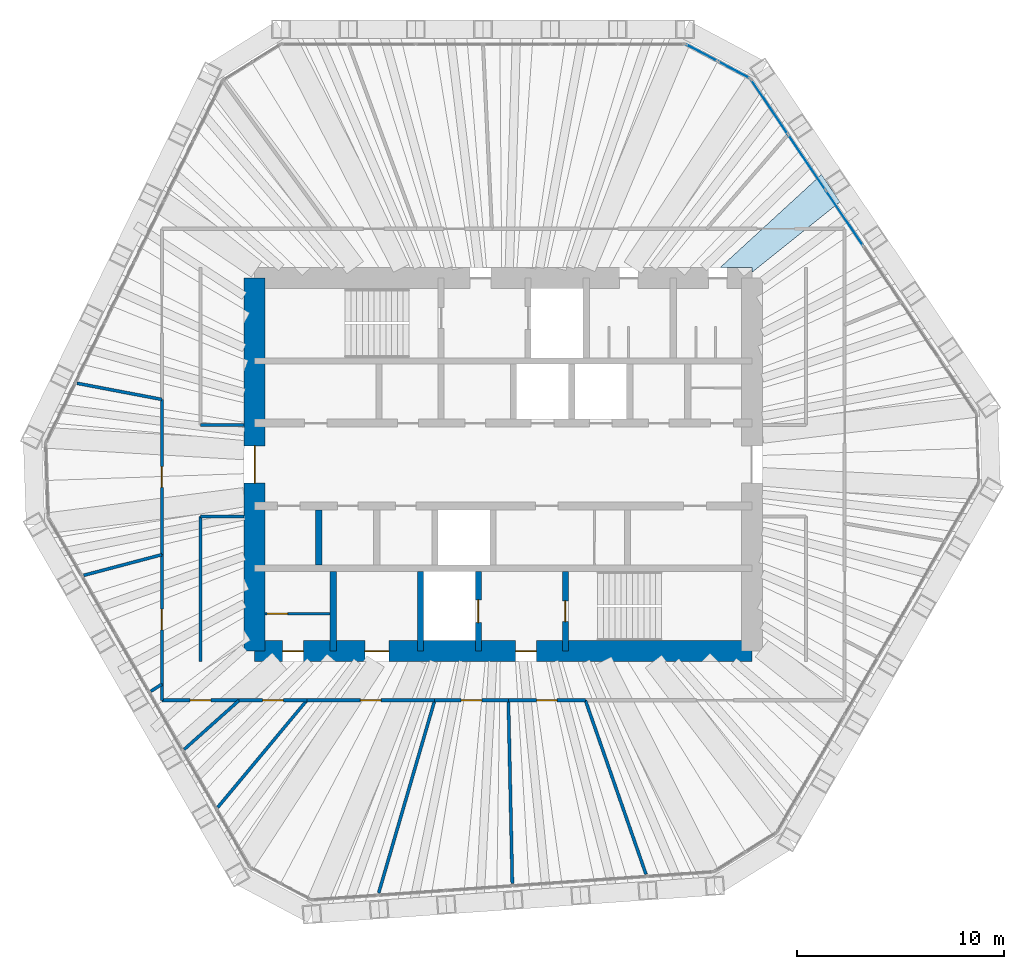
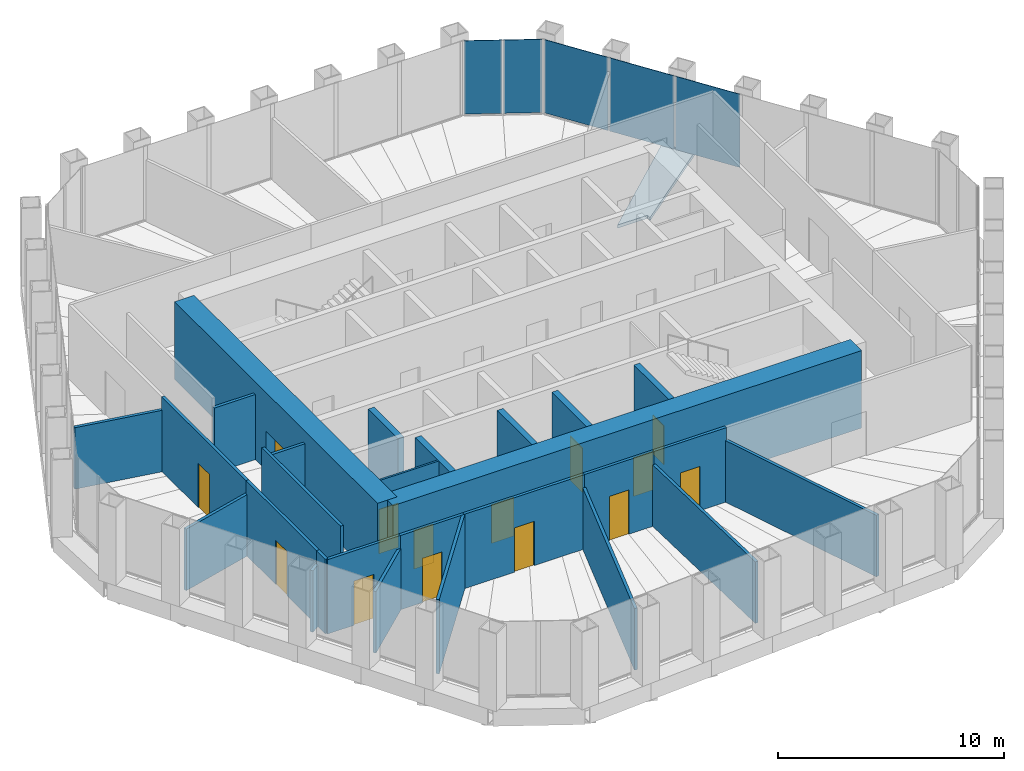
# One storey, part 11 of 14: 27 walls, 14 doors, 5 plates, 1 slab, 14 openings, 2 elements without a shape of their own.
"""IFC4 building model written with IfcOpenShell, lengths in metres."""

from ifc_helpers import new_model, si_unit, direction, frame, frame_2d, origin, origin_2d, place, context, subcontext, project, spatial, polyline, rectangle, outline, extrude, material, layer, layer_set, type_object, element, fill, aggregate, save


model = new_model("IFC4")

# Units and contexts
model_context = context("Model", 3, precision=1e-05, world=origin(), true_north=direction((0.0, 1.0)))
body_context = subcontext(model_context, "Body", "Model", "MODEL_VIEW")
ifc_project = project(units=[si_unit("LENGTHUNIT", "METRE"), si_unit("AREAUNIT", "SQUARE_METRE"), si_unit("VOLUMEUNIT", "CUBIC_METRE"), si_unit("PLANEANGLEUNIT", "RADIAN"), si_unit("MASSUNIT", "GRAM", prefix="KILO")], contexts=[model_context])

# Site, building, storey
site_placement = place(None, origin())
site = spatial("IfcSite", under=ifc_project, at=site_placement, CompositionType="ELEMENT")
building_placement = place(site_placement, origin())
building = spatial("IfcBuilding", under=site, at=building_placement, Name="Qingtian Harvest Tower", CompositionType="ELEMENT")
storey_placement = place(building_placement, frame((0.0, 0.0, 266.199951171875)))
storey = spatial("IfcBuildingStorey", under=building, at=storey_placement, Name="L58", CompositionType="ELEMENT", Elevation=266.199951171875)

# Slab
ifc_material_1 = material(Name="Concrete fc' 35 MPa", Category="concrete")
ifc_layer_1 = layer(ifc_material_1, 0.169921875)
ifc_layer_set_1 = layer_set([ifc_layer_1], Name="Composite floor slab FS17 170")
slab_type = type_object("IfcSlabType", Name="Composite floor slab FS17 170", PredefinedType="FLOOR", material=ifc_layer_set_1)
slab_placement = place(storey_placement, frame((0.0, 0.0, -0.169921875)))
element("IfcSlab", 1, at=slab_placement, inside=storey, type_object=slab_type, Name="Floor slab L58 panel D48", PredefinedType="FLOOR", context=body_context, shape_type="SweptSolid", body=[
    extrude(outline(polyline([(12.0, 9.5), (10.4599609375, 9.5), (15.35498046875, 13.99365234375), (16.24609375, 12.672607421875), (12.0, 9.2734375), (12.0, 9.5)])), origin(), (0.0, 0.0, 1.0), 0.169921875),
])

# Curtain wall, plates
ifc_material_2 = material(Name="Bronze-anodised aluminium curtain wall", Category="aluminium")
curtain_wall_type = type_object("IfcCurtainWallType", Name="Curtain wall CW5 upper office", PredefinedType="USERDEFINED", material=ifc_material_2)
curtain_wall_1_placement = place(storey_placement, origin())
curtain_wall_1 = element("IfcCurtainWall", 2, at=curtain_wall_1_placement, inside=storey, type_object=curtain_wall_type, Name="Curtain wall CW5 L58 NC", ObjectType="RECESSED CURTAIN WALL", PredefinedType="USERDEFINED")
ifc_material_3 = material(Name="Bronze-tinted laminated insulating glass", Category="glass")
ifc_layer_2 = layer(ifc_material_3, 0.030029296875)
ifc_layer_set_2 = layer_set([ifc_layer_2], Name="Glazed panel CWP tinted IGU")
plate_type = type_object("IfcPlateType", Name="Glazed panel CWP tinted IGU", PredefinedType="CURTAIN_PANEL", material=ifc_layer_set_2)
plate_1_placement = place(storey_placement, frame((9.57080078125, 19.8720703125, 0.06494140625), z_axis=(0.0, 0.0, 1.0), x_axis=(0.882947592859, -0.469471562786, 0.0)))
plate_1 = element("IfcPlate", 3, at=plate_1_placement, type_object=plate_type, Name="CW5 panel 1.1", PredefinedType="CURTAIN_PANEL", context=body_context, shape_type="SweptSolid", body=[
    extrude(rectangle(XDim=1.69287109375, YDim=0.030029296875, at=origin_2d()), origin(), (0.0, 0.0, 1.0), 3.965087890625),
])
plate_2_placement = place(storey_placement, frame((11.122802734375, 19.046875, 0.06494140625), z_axis=(0.0, 0.0, 1.0), x_axis=(0.882947592859, -0.469471562786, 0.0)))
plate_2 = element("IfcPlate", 4, at=plate_2_placement, type_object=plate_type, Name="CW5 panel 2.1", PredefinedType="CURTAIN_PANEL", context=body_context, shape_type="SweptSolid", body=[
    extrude(rectangle(XDim=1.69287109375, YDim=0.030029296875, at=origin_2d()), origin(), (0.0, 0.0, 1.0), 3.965087890625),
])
aggregate(curtain_wall_1, [plate_1, plate_2])

curtain_wall_2_placement = place(storey_placement, origin())
curtain_wall_2 = element("IfcCurtainWall", 5, at=curtain_wall_2_placement, inside=storey, type_object=curtain_wall_type, Name="Curtain wall CW5 L58 NE0-5", ObjectType="RECESSED CURTAIN WALL", PredefinedType="USERDEFINED")
plate_3_placement = place(storey_placement, frame((12.844970703125, 17.259033203125, 0.06494140625), z_axis=(0.0, 0.0, 1.0), x_axis=(0.559192903471, -0.829037572555, 0.0)))
plate_3 = element("IfcPlate", 6, at=plate_3_placement, type_object=plate_type, Name="CW5 panel 1.1", PredefinedType="CURTAIN_PANEL", context=body_context, shape_type="SweptSolid", body=[
    extrude(rectangle(XDim=3.150634765625, YDim=0.030029296875, at=origin_2d()), origin(), (0.0, 0.0, 1.0), 3.965087890625),
])
plate_4_placement = place(storey_placement, frame((14.652099609375, 14.579833984375, 0.06494140625), z_axis=(0.0, 0.0, 1.0), x_axis=(0.559192903471, -0.829037572555, 0.0)))
plate_4 = element("IfcPlate", 7, at=plate_4_placement, type_object=plate_type, Name="CW5 panel 2.1", PredefinedType="CURTAIN_PANEL", context=body_context, shape_type="SweptSolid", body=[
    extrude(rectangle(XDim=3.18310546875, YDim=0.030029296875, at=origin_2d()), origin(), (0.0, 0.0, 1.0), 3.965087890625),
])
plate_5_placement = place(storey_placement, frame((16.46826171875, 11.886962890625, 0.06494140625), z_axis=(0.0, 0.0, 1.0), x_axis=(0.559192903471, -0.829037572555, 0.0)))
plate_5 = element("IfcPlate", 8, at=plate_5_placement, type_object=plate_type, Name="CW5 panel 3.1", PredefinedType="CURTAIN_PANEL", context=body_context, shape_type="SweptSolid", body=[
    extrude(rectangle(XDim=3.18310546875, YDim=0.030029296875, at=origin_2d()), origin(), (0.0, 0.0, 1.0), 3.965087890625),
])
aggregate(curtain_wall_2, [plate_3, plate_4, plate_5])

# Walls
ifc_material_4 = material(Name="Precast concrete shaft panel", Category="concrete")
ifc_layer_3 = layer(ifc_material_4, 0.300048828125)
ifc_layer_set_3 = layer_set([ifc_layer_3], Name="Core shaft partition SW1 300")
wall_type_1 = type_object("IfcWallType", Name="Core shaft partition SW1 300", PredefinedType="PARTITIONING", material=ifc_layer_set_3)
wall_1_placement = place(storey_placement, frame((-8.89990234375, -4.85009765625, 0.0), z_axis=(0.0, 0.0, 1.0), x_axis=(0.0, 1.0, 0.0)))
element("IfcWall", 9, at=wall_1_placement, inside=storey, type_object=wall_type_1, Name="Core shaft partition XB1 L58", PredefinedType="PARTITIONING", context=body_context, shape_type="SweptSolid", body=[
    extrude(rectangle(XDim=2.650146484375, YDim=0.300048828125, at=frame_2d((1.3251953125, 0.0))), origin(), (0.0, 0.0, 1.0), 3.97998046875),
])
for number, where, z_axis, x_axis, name in (
    (10, (-8.199951171875, -9.0, 0.0), (0.0, 0.0, 1.0), (0.0, 1.0, 0.0), "Core shaft partition XS1 L58"),
    (11, (-4.0, -9.0, 0.0), (0.0, 0.0, 1.0), (0.0, 1.0, 0.0), "Core shaft partition XS2 L58"),
):
    element("IfcWall", number, at=place(storey_placement, frame(where, z_axis=z_axis, x_axis=x_axis)), inside=storey, type_object=wall_type_1, Name=name, PredefinedType="PARTITIONING", context=body_context, shape_type="SweptSolid", body=[
        extrude(rectangle(XDim=3.85009765625, YDim=0.300048828125, at=frame_2d((1.925048828125, 0.0))), origin(), (0.0, 0.0, 1.0), 3.97998046875),
    ])

# Wall, opening, door
wall_2_placement = place(storey_placement, frame((-1.199951171875, -9.0, 0.0), z_axis=(0.0, 0.0, 1.0), x_axis=(0.0, 1.0, 0.0)))
wall_2 = element("IfcWall", 12, at=wall_2_placement, inside=storey, type_object=wall_type_1, Name="Core shaft partition XS3 L58", PredefinedType="PARTITIONING", context=body_context, shape_type="SweptSolid", body=[
    extrude(rectangle(XDim=3.85009765625, YDim=0.300048828125, at=frame_2d((1.925048828125, 0.0))), origin(), (0.0, 0.0, 1.0), 3.97998046875),
])
opening_1_placement = place(wall_2_placement, frame((1.375, 0.0, 0.0)))
opening_1 = element("IfcOpeningElement", 13, at=opening_1_placement, cuts=wall_2, Name="Opening LD1", PredefinedType="OPENING", context=body_context, shape_type="SweptSolid", body=[
    extrude(rectangle(XDim=1.10009765625, YDim=2.39990234375, at=frame_2d((0.550048828125, 1.199951171875))), frame((0.0, 0.159912109375, 0.0), z_axis=(0.0, -1.0, 0.0), x_axis=(1.0, 0.0, 0.0)), (0.0, 0.0, 1.0), 0.320068359375),
])
ifc_material_5 = material(Name="Stainless steel lift landing door", Category="steel")
door_type_1 = type_object("IfcDoorType", Name="Lift landing door LD1 1 HR", OperationType="DOUBLE_DOOR_SLIDING", PredefinedType="DOOR", material=ifc_material_5)
door_1_placement = place(opening_1_placement, origin())
door_1 = element("IfcDoor", 14, at=door_1_placement, inside=storey, type_object=door_type_1, Name="FL2 landing door L58", OperationType="DOUBLE_DOOR_SLIDING", OverallHeight=2.39990234375, OverallWidth=1.10009765625, PredefinedType="DOOR", context=body_context, shape_type="SweptSolid", body=[
    extrude(rectangle(XDim=1.10009765625, YDim=2.39990234375, at=frame_2d((0.550048828125, 1.199951171875))), frame((0.0, 0.02490234375, 0.0), z_axis=(0.0, -1.0, 0.0), x_axis=(1.0, 0.0, 0.0)), (0.0, 0.0, 1.0), 0.050048828125),
])
fill(opening_1, door_1)

wall_3_placement = place(storey_placement, frame((3.0, -9.0, 0.0), z_axis=(0.0, 0.0, 1.0), x_axis=(0.0, 1.0, 0.0)))
wall_3 = element("IfcWall", 15, at=wall_3_placement, inside=storey, type_object=wall_type_1, Name="Core shaft partition XS4 L58", PredefinedType="PARTITIONING", context=body_context, shape_type="SweptSolid", body=[
    extrude(rectangle(XDim=3.85009765625, YDim=0.300048828125, at=frame_2d((1.925048828125, 0.0))), origin(), (0.0, 0.0, 1.0), 3.97998046875),
])
opening_2_placement = place(wall_3_placement, frame((1.425048828125, 0.0, 0.0)))
opening_2 = element("IfcOpeningElement", 16, at=opening_2_placement, cuts=wall_3, Name="Opening FD1", PredefinedType="OPENING", context=body_context, shape_type="SweptSolid", body=[
    extrude(rectangle(XDim=1.0, YDim=2.10009765625, at=frame_2d((0.5, 1.050048828125))), frame((0.0, 0.159912109375, 0.0), z_axis=(0.0, -1.0, 0.0), x_axis=(1.0, 0.0, 0.0)), (0.0, 0.0, 1.0), 0.320068359375),
])
ifc_material_6 = material(Name="Steel-faced door leaf", Category="steel")
door_type_2 = type_object("IfcDoorType", Name="Fire door FD1 single 1 HR", OperationType="SINGLE_SWING_LEFT", PredefinedType="DOOR", material=ifc_material_6)
door_2_placement = place(opening_2_placement, origin())
door_2 = element("IfcDoor", 17, at=door_2_placement, inside=storey, type_object=door_type_2, Name="S2 door L58", OperationType="SINGLE_SWING_RIGHT", OverallHeight=2.10009765625, OverallWidth=1.0, PredefinedType="DOOR", context=body_context, shape_type="SweptSolid", body=[
    extrude(rectangle(XDim=1.0, YDim=2.10009765625, at=frame_2d((0.5, 1.050048828125))), frame((0.0, 0.02490234375, 0.0), z_axis=(0.0, -1.0, 0.0), x_axis=(1.0, 0.0, 0.0)), (0.0, 0.0, 1.0), 0.050048828125),
])
fill(opening_2, door_2)

# Wall, openings, doors
ifc_material_7 = material(Name="Concrete fc' 70 MPa", Category="concrete")
ifc_layer_4 = layer(ifc_material_7, 1.0)
ifc_layer_set_4 = layer_set([ifc_layer_4], Name="Core wall RC3 1000")
wall_type_2 = type_object("IfcWallType", Name="Core wall RC3 1000", PredefinedType="SHEAR", material=ifc_layer_set_4)
wall_4_placement = place(storey_placement, frame((-12.0, -9.0, 0.0), z_axis=(0.0, 0.0, 1.0), x_axis=(1.0, 0.0, 0.0)))
wall_4 = element("IfcWall", 18, at=wall_4_placement, inside=storey, type_object=wall_type_2, Name="Core wall CS L58", PredefinedType="SHEAR", context=body_context, shape_type="SweptSolid", body=[
    extrude(rectangle(XDim=24.0, YDim=1.0, at=frame_2d((12.0, 0.0))), origin(), (0.0, 0.0, 1.0), 4.199951171875),
])
opening_3_placement = place(wall_4_placement, frame((1.35009765625, 0.0, 0.0)))
opening_3 = element("IfcOpeningElement", 19, at=opening_3_placement, cuts=wall_4, Name="Opening FD1", PredefinedType="OPENING", context=body_context, shape_type="SweptSolid", body=[
    extrude(rectangle(XDim=1.0, YDim=2.10009765625, at=frame_2d((0.5, 1.050048828125))), frame((0.0, 0.510009765625, 0.0), z_axis=(0.0, -1.0, 0.0), x_axis=(1.0, 0.0, 0.0)), (0.0, 0.0, 1.0), 1.02001953125),
])
opening_4_placement = place(wall_4_placement, frame((5.324951171875, 0.0, 0.0)))
opening_4 = element("IfcOpeningElement", 20, at=opening_4_placement, cuts=wall_4, Name="Opening AD1", PredefinedType="OPENING", context=body_context, shape_type="SweptSolid", body=[
    extrude(rectangle(XDim=1.14990234375, YDim=2.10009765625, at=frame_2d((0.574951171875, 1.050048828125))), frame((0.0, 0.510009765625, 0.0), z_axis=(0.0, -1.0, 0.0), x_axis=(1.0, 0.0, 0.0)), (0.0, 0.0, 1.0), 1.02001953125),
])
opening_5_placement = place(wall_4_placement, frame((12.60009765625, 0.0, 0.0)))
opening_5 = element("IfcOpeningElement", 21, at=opening_5_placement, cuts=wall_4, Name="Opening FD1", PredefinedType="OPENING", context=body_context, shape_type="SweptSolid", body=[
    extrude(rectangle(XDim=1.0, YDim=2.10009765625, at=frame_2d((0.5, 1.050048828125))), frame((0.0, 0.510009765625, 0.0), z_axis=(0.0, -1.0, 0.0), x_axis=(1.0, 0.0, 0.0)), (0.0, 0.0, 1.0), 1.02001953125),
])
ifc_material_8 = material(Name="Laminated timber door leaf", Category="wood")
door_type_3 = type_object("IfcDoorType", Name="Accessible WC door AD1 single", OperationType="SINGLE_SWING_LEFT", PredefinedType="DOOR", material=ifc_material_8)
door_3_placement = place(opening_4_placement, origin())
door_3 = element("IfcDoor", 22, at=door_3_placement, inside=storey, type_object=door_type_3, Name="AWC door L58", OperationType="SINGLE_SWING_LEFT", OverallHeight=2.10009765625, OverallWidth=1.14990234375, PredefinedType="DOOR", context=body_context, shape_type="SweptSolid", body=[
    extrude(rectangle(XDim=1.14990234375, YDim=2.10009765625, at=frame_2d((0.574951171875, 1.050048828125))), frame((0.0, 0.02490234375, 0.0), z_axis=(0.0, -1.0, 0.0), x_axis=(1.0, 0.0, 0.0)), (0.0, 0.0, 1.0), 0.050048828125),
])
fill(opening_4, door_3)
door_4_placement = place(opening_3_placement, origin())
door_4 = element("IfcDoor", 23, at=door_4_placement, inside=storey, type_object=door_type_2, Name="CLN door L58", OperationType="SINGLE_SWING_RIGHT", OverallHeight=2.10009765625, OverallWidth=1.0, PredefinedType="DOOR", context=body_context, shape_type="SweptSolid", body=[
    extrude(rectangle(XDim=1.0, YDim=2.10009765625, at=frame_2d((0.5, 1.050048828125))), frame((0.0, 0.02490234375, 0.0), z_axis=(0.0, -1.0, 0.0), x_axis=(1.0, 0.0, 0.0)), (0.0, 0.0, 1.0), 0.050048828125),
])
fill(opening_3, door_4)
door_5_placement = place(opening_5_placement, origin())
door_5 = element("IfcDoor", 24, at=door_5_placement, inside=storey, type_object=door_type_2, Name="V2 door L58", OperationType="SINGLE_SWING_RIGHT", OverallHeight=2.10009765625, OverallWidth=1.0, PredefinedType="DOOR", context=body_context, shape_type="SweptSolid", body=[
    extrude(rectangle(XDim=1.0, YDim=2.10009765625, at=frame_2d((0.5, 1.050048828125))), frame((0.0, 0.02490234375, 0.0), z_axis=(0.0, -1.0, 0.0), x_axis=(1.0, 0.0, 0.0)), (0.0, 0.0, 1.0), 0.050048828125),
])
fill(opening_5, door_5)

# Wall, opening, door
wall_5_placement = place(storey_placement, frame((-12.0, -9.0, 0.0), z_axis=(0.0, 0.0, 1.0), x_axis=(0.0, 1.0, 0.0)))
wall_5 = element("IfcWall", 25, at=wall_5_placement, inside=storey, type_object=wall_type_2, Name="Core wall CW L58", PredefinedType="SHEAR", context=body_context, shape_type="SweptSolid", body=[
    extrude(rectangle(XDim=18.0, YDim=1.0, at=frame_2d((9.0, 0.0))), origin(), (0.0, 0.0, 1.0), 4.199951171875),
])
opening_6_placement = place(wall_5_placement, frame((8.10009765625, 0.0, 0.0)))
opening_6 = element("IfcOpeningElement", 26, at=opening_6_placement, cuts=wall_5, Name="Opening FD2", PredefinedType="OPENING", context=body_context, shape_type="SweptSolid", body=[
    extrude(rectangle(XDim=1.800048828125, YDim=2.10009765625, at=frame_2d((0.89990234375, 1.050048828125))), frame((0.0, 0.510009765625, 0.0), z_axis=(0.0, -1.0, 0.0), x_axis=(1.0, 0.0, 0.0)), (0.0, 0.0, 1.0), 1.02001953125),
])
ifc_material_9 = material(Name="Steel-faced door leaf", Category="steel")
door_type_4 = type_object("IfcDoorType", Name="Fire door FD2 double 1 HR", OperationType="DOUBLE_DOOR_DOUBLE_SWING", PredefinedType="DOOR", material=ifc_material_9)
door_6_placement = place(opening_6_placement, origin())
door_6 = element("IfcDoor", 27, at=door_6_placement, inside=storey, type_object=door_type_4, Name="LOBBY-W door L58", OperationType="DOUBLE_DOOR_DOUBLE_SWING", OverallHeight=2.10009765625, OverallWidth=1.800048828125, PredefinedType="DOOR", context=body_context, shape_type="SweptSolid", body=[
    extrude(rectangle(XDim=1.800048828125, YDim=2.10009765625, at=frame_2d((0.89990234375, 1.050048828125))), frame((0.0, 0.02490234375, 0.0), z_axis=(0.0, -1.0, 0.0), x_axis=(1.0, 0.0, 0.0)), (0.0, 0.0, 1.0), 0.050048828125),
])
fill(opening_6, door_6)

# Wall
ifc_material_10 = material(Name="Gypsum board on steel studs", Category="steel")
ifc_layer_5 = layer(ifc_material_10, 0.14990234375)
ifc_layer_set_5 = layer_set([ifc_layer_5], Name="Partition PT1 150")
wall_type_3 = type_object("IfcWallType", Name="Partition PT1 150", PredefinedType="PARTITIONING", material=ifc_layer_set_5)
wall_6_placement = place(storey_placement, frame((-13.779296875, -16.546142578125, 0.0), z_axis=(0.0, 0.0, 1.0), x_axis=(0.63993100432, 0.768432371592, 0.0)))
element("IfcWall", 28, at=wall_6_placement, inside=storey, type_object=wall_type_3, Name="Private office wall L58", PredefinedType="PARTITIONING", context=body_context, shape_type="SweptSolid", body=[
    extrude(rectangle(XDim=6.7294921875, YDim=0.14990234375, at=frame_2d((3.36474609375, 0.0))), origin(), (0.0, 0.0, 1.0), 4.030029296875),
])

# Wall, opening, door
wall_7_placement = place(storey_placement, frame((-9.472900390625, -11.375, 0.0), z_axis=(0.0, 0.0, 1.0), x_axis=(-1.0, 0.0, 0.0)))
wall_7 = element("IfcWall", 29, at=wall_7_placement, inside=storey, type_object=wall_type_3, Name="Private office wall L58", PredefinedType="PARTITIONING", context=body_context, shape_type="SweptSolid", body=[
    extrude(rectangle(XDim=3.26708984375, YDim=0.14990234375, at=frame_2d((1.633544921875, 0.0))), origin(), (0.0, 0.0, 1.0), 4.030029296875),
])
opening_7_placement = place(wall_7_placement, frame((1.133544921875, 0.0, 0.0)))
opening_7 = element("IfcOpeningElement", 30, at=opening_7_placement, cuts=wall_7, Name="Opening D2", PredefinedType="OPENING", context=body_context, shape_type="SweptSolid", body=[
    extrude(rectangle(XDim=1.0, YDim=2.39990234375, at=frame_2d((0.5, 1.199951171875))), frame((0.0, 0.0849609375, 0.0), z_axis=(0.0, -1.0, 0.0), x_axis=(1.0, 0.0, 0.0)), (0.0, 0.0, 1.0), 0.169921875),
])
ifc_material_11 = material(Name="Laminated timber door leaf", Category="wood")
door_type_5 = type_object("IfcDoorType", Name="Room door D2 single", OperationType="SINGLE_SWING_LEFT", PredefinedType="DOOR", material=ifc_material_11)
door_7_placement = place(opening_7_placement, origin())
door_7 = element("IfcDoor", 31, at=door_7_placement, inside=storey, type_object=door_type_5, Name="Private office door L58", OperationType="SINGLE_SWING_LEFT", OverallHeight=2.39990234375, OverallWidth=1.0, PredefinedType="DOOR", context=body_context, shape_type="SweptSolid", body=[
    extrude(rectangle(XDim=1.0, YDim=2.39990234375, at=frame_2d((0.5, 1.199951171875))), frame((0.0, 0.02490234375, 0.0), z_axis=(0.0, -1.0, 0.0), x_axis=(1.0, 0.0, 0.0)), (0.0, 0.0, 1.0), 0.050048828125),
])
fill(opening_7, door_7)

# Wall
wall_8_placement = place(storey_placement, frame((-15.392578125, -13.743408203125, 0.0), z_axis=(0.0, 0.0, 1.0), x_axis=(0.745934007174, 0.666019862273, 0.0)))
element("IfcWall", 32, at=wall_8_placement, inside=storey, type_object=wall_type_3, Name="Private office wall L58", PredefinedType="PARTITIONING", context=body_context, shape_type="SweptSolid", body=[
    extrude(rectangle(XDim=3.55615234375, YDim=0.14990234375, at=frame_2d((1.778076171875, 0.0))), origin(), (0.0, 0.0, 1.0), 3.330078125),
])

# Wall, opening, door
wall_9_placement = place(storey_placement, frame((-12.739990234375, -11.375, 0.0), z_axis=(0.0, 0.0, 1.0), x_axis=(-1.0, 0.0, 0.0)))
wall_9 = element("IfcWall", 33, at=wall_9_placement, inside=storey, type_object=wall_type_3, Name="Private office wall L58", PredefinedType="PARTITIONING", context=body_context, shape_type="SweptSolid", body=[
    extrude(rectangle(XDim=3.735107421875, YDim=0.14990234375, at=frame_2d((1.86767578125, 0.0))), origin(), (0.0, 0.0, 1.0), 4.030029296875),
])
opening_8_placement = place(wall_9_placement, frame((1.367431640625, 0.0, 0.0)))
opening_8 = element("IfcOpeningElement", 34, at=opening_8_placement, cuts=wall_9, Name="Opening D2", PredefinedType="OPENING", context=body_context, shape_type="SweptSolid", body=[
    extrude(rectangle(XDim=1.0, YDim=2.39990234375, at=frame_2d((0.5, 1.199951171875))), frame((0.0, 0.0849609375, 0.0), z_axis=(0.0, -1.0, 0.0), x_axis=(1.0, 0.0, 0.0)), (0.0, 0.0, 1.0), 0.169921875),
])
door_8_placement = place(opening_8_placement, origin())
door_8 = element("IfcDoor", 35, at=door_8_placement, inside=storey, type_object=door_type_5, Name="Private office door L58", OperationType="SINGLE_SWING_RIGHT", OverallHeight=2.39990234375, OverallWidth=1.0, PredefinedType="DOOR", context=body_context, shape_type="SweptSolid", body=[
    extrude(rectangle(XDim=1.0, YDim=2.39990234375, at=frame_2d((0.5, 1.199951171875))), frame((0.0, 0.02490234375, 0.0), z_axis=(0.0, -1.0, 0.0), x_axis=(1.0, 0.0, 0.0)), (0.0, 0.0, 1.0), 0.050048828125),
])
fill(opening_8, door_8)

# Walls
wall_10_placement = place(storey_placement, frame((-16.47509765625, -11.375, 0.0), z_axis=(0.0, 0.0, 1.0), x_axis=(0.0, 1.0, 0.0)))
element("IfcWall", 36, at=wall_10_placement, inside=storey, type_object=wall_type_3, Name="Private office wall L58", PredefinedType="PARTITIONING", context=body_context, shape_type="SweptSolid", body=[
    extrude(rectangle(XDim=0.7744140625, YDim=0.14990234375, at=frame_2d((0.38720703125, 0.0))), origin(), (0.0, 0.0, 1.0), 4.030029296875),
])
wall_11_placement = place(storey_placement, frame((-17.007080078125, -10.943115234375, 0.0), z_axis=(0.0, 0.0, 1.0), x_axis=(0.840789611822, 0.541362012568, 0.0)))
element("IfcWall", 37, at=wall_11_placement, inside=storey, type_object=wall_type_3, Name="Focus room wall L58", PredefinedType="PARTITIONING", context=body_context, shape_type="SweptSolid", body=[
    extrude(rectangle(XDim=0.6328125, YDim=0.14990234375, at=frame_2d((0.31640625, 0.0))), origin(), (0.0, 0.0, 1.0), 3.330078125),
])

# Wall, opening, door
wall_12_placement = place(storey_placement, frame((-16.47509765625, -10.6005859375, 0.0), z_axis=(0.0, 0.0, 1.0), x_axis=(0.0, 1.0, 0.0)))
wall_12 = element("IfcWall", 38, at=wall_12_placement, inside=storey, type_object=wall_type_3, Name="Focus room wall L58", PredefinedType="PARTITIONING", context=body_context, shape_type="SweptSolid", body=[
    extrude(rectangle(XDim=6.249755859375, YDim=0.14990234375, at=frame_2d((3.125, 0.0))), origin(), (0.0, 0.0, 1.0), 4.030029296875),
])
opening_9_placement = place(wall_12_placement, frame((2.624755859375, 0.0, 0.0)))
opening_9 = element("IfcOpeningElement", 39, at=opening_9_placement, cuts=wall_12, Name="Opening D2", PredefinedType="OPENING", context=body_context, shape_type="SweptSolid", body=[
    extrude(rectangle(XDim=1.0, YDim=2.39990234375, at=frame_2d((0.5, 1.199951171875))), frame((0.0, 0.0849609375, 0.0), z_axis=(0.0, -1.0, 0.0), x_axis=(1.0, 0.0, 0.0)), (0.0, 0.0, 1.0), 0.169921875),
])
door_9_placement = place(opening_9_placement, origin())
door_9 = element("IfcDoor", 40, at=door_9_placement, inside=storey, type_object=door_type_5, Name="Focus room door L58", OperationType="SINGLE_SWING_RIGHT", OverallHeight=2.39990234375, OverallWidth=1.0, PredefinedType="DOOR", context=body_context, shape_type="SweptSolid", body=[
    extrude(rectangle(XDim=1.0, YDim=2.39990234375, at=frame_2d((0.5, 1.199951171875))), frame((0.0, 0.02490234375, 0.0), z_axis=(0.0, -1.0, 0.0), x_axis=(1.0, 0.0, 0.0)), (0.0, 0.0, 1.0), 0.050048828125),
])
fill(opening_9, door_9)

# Wall
wall_13_placement = place(storey_placement, frame((-20.24267578125, -5.345947265625, 0.0), z_axis=(0.0, 0.0, 1.0), x_axis=(0.966843659694, 0.25536902261, 0.0)))
element("IfcWall", 41, at=wall_13_placement, inside=storey, type_object=wall_type_3, Name="Meeting room wall L58", PredefinedType="PARTITIONING", context=body_context, shape_type="SweptSolid", body=[
    extrude(rectangle(XDim=3.896728515625, YDim=0.14990234375, at=frame_2d((1.9482421875, 0.0))), origin(), (0.0, 0.0, 1.0), 3.330078125),
])

# Wall, opening, door
wall_14_placement = place(storey_placement, frame((-16.47509765625, -4.350830078125, 0.0), z_axis=(0.0, 0.0, 1.0), x_axis=(0.0, 1.0, 0.0)))
wall_14 = element("IfcWall", 42, at=wall_14_placement, inside=storey, type_object=wall_type_3, Name="Meeting room wall L58", PredefinedType="PARTITIONING", context=body_context, shape_type="SweptSolid", body=[
    extrude(rectangle(XDim=7.49169921875, YDim=0.14990234375, at=frame_2d((3.745849609375, 0.0))), origin(), (0.0, 0.0, 1.0), 4.030029296875),
])
opening_10_placement = place(wall_14_placement, frame((3.245849609375, 0.0, 0.0)))
opening_10 = element("IfcOpeningElement", 43, at=opening_10_placement, cuts=wall_14, Name="Opening D2", PredefinedType="OPENING", context=body_context, shape_type="SweptSolid", body=[
    extrude(rectangle(XDim=1.0, YDim=2.39990234375, at=frame_2d((0.5, 1.199951171875))), frame((0.0, 0.0849609375, 0.0), z_axis=(0.0, -1.0, 0.0), x_axis=(1.0, 0.0, 0.0)), (0.0, 0.0, 1.0), 0.169921875),
])
door_10_placement = place(opening_10_placement, origin())
door_10 = element("IfcDoor", 44, at=door_10_placement, inside=storey, type_object=door_type_5, Name="Meeting room door L58", OperationType="SINGLE_SWING_RIGHT", OverallHeight=2.39990234375, OverallWidth=1.0, PredefinedType="DOOR", context=body_context, shape_type="SweptSolid", body=[
    extrude(rectangle(XDim=1.0, YDim=2.39990234375, at=frame_2d((0.5, 1.199951171875))), frame((0.0, 0.02490234375, 0.0), z_axis=(0.0, -1.0, 0.0), x_axis=(1.0, 0.0, 0.0)), (0.0, 0.0, 1.0), 0.050048828125),
])
fill(opening_10, door_10)

# Walls
wall_15_placement = place(storey_placement, frame((-20.566162109375, 3.9208984375, 0.0), z_axis=(0.0, 0.0, 1.0), x_axis=(0.982304172816, -0.187292584123, 0.0)))
element("IfcWall", 45, at=wall_15_placement, inside=storey, type_object=wall_type_3, Name="Workplace zone wall L58", PredefinedType="PARTITIONING", context=body_context, shape_type="SweptSolid", body=[
    extrude(rectangle(XDim=4.164794921875, YDim=0.14990234375, at=frame_2d((2.08251953125, 0.0))), origin(), (0.0, 0.0, 1.0), 3.330078125),
])
wall_16_placement = place(storey_placement, frame((6.8876953125, -19.771240234375, 0.0), z_axis=(0.0, 0.0, 1.0), x_axis=(-0.328983865825, 0.944335542075, 0.0)))
element("IfcWall", 46, at=wall_16_placement, inside=storey, type_object=wall_type_3, Name="Print room wall L58", PredefinedType="PARTITIONING", context=body_context, shape_type="SweptSolid", body=[
    extrude(rectangle(XDim=8.89111328125, YDim=0.14990234375, at=frame_2d((4.445556640625, 0.0))), origin(), (0.0, 0.0, 1.0), 3.330078125),
])

# Wall, opening, door
wall_17_placement = place(storey_placement, frame((3.962646484375, -11.375, 0.0), z_axis=(0.0, 0.0, 1.0), x_axis=(-1.0, 0.0, 0.0)))
wall_17 = element("IfcWall", 47, at=wall_17_placement, inside=storey, type_object=wall_type_3, Name="Print room wall L58", PredefinedType="PARTITIONING", context=body_context, shape_type="SweptSolid", body=[
    extrude(rectangle(XDim=3.716064453125, YDim=0.14990234375, at=frame_2d((1.85791015625, 0.0))), origin(), (0.0, 0.0, 1.0), 4.030029296875),
])
opening_11_placement = place(wall_17_placement, frame((1.358154296875, 0.0, 0.0)))
opening_11 = element("IfcOpeningElement", 48, at=opening_11_placement, cuts=wall_17, Name="Opening D2", PredefinedType="OPENING", context=body_context, shape_type="SweptSolid", body=[
    extrude(rectangle(XDim=1.0, YDim=2.39990234375, at=frame_2d((0.5, 1.199951171875))), frame((0.0, 0.0849609375, 0.0), z_axis=(0.0, -1.0, 0.0), x_axis=(1.0, 0.0, 0.0)), (0.0, 0.0, 1.0), 0.169921875),
])
door_11_placement = place(opening_11_placement, origin())
door_11 = element("IfcDoor", 49, at=door_11_placement, inside=storey, type_object=door_type_5, Name="Print room door L58", OperationType="SINGLE_SWING_RIGHT", OverallHeight=2.39990234375, OverallWidth=1.0, PredefinedType="DOOR", context=body_context, shape_type="SweptSolid", body=[
    extrude(rectangle(XDim=1.0, YDim=2.39990234375, at=frame_2d((0.5, 1.199951171875))), frame((0.0, 0.02490234375, 0.0), z_axis=(0.0, -1.0, 0.0), x_axis=(1.0, 0.0, 0.0)), (0.0, 0.0, 1.0), 0.050048828125),
])
fill(opening_11, door_11)

# Wall
wall_18_placement = place(storey_placement, frame((0.43798828125, -20.21875, 0.0), z_axis=(0.0, 0.0, 1.0), x_axis=(-0.021638042243, 0.999765870156, 0.0)))
element("IfcWall", 50, at=wall_18_placement, inside=storey, type_object=wall_type_3, Name="Meeting room wall L58", PredefinedType="PARTITIONING", context=body_context, shape_type="SweptSolid", body=[
    extrude(rectangle(XDim=8.845703125, YDim=0.14990234375, at=frame_2d((4.4228515625, 0.0))), origin(), (0.0, 0.0, 1.0), 3.330078125),
])

# Wall, opening, door
wall_19_placement = place(storey_placement, frame((0.24658203125, -11.375, 0.0), z_axis=(0.0, 0.0, 1.0), x_axis=(-1.0, 0.0, 0.0)))
wall_19 = element("IfcWall", 51, at=wall_19_placement, inside=storey, type_object=wall_type_3, Name="Meeting room wall L58", PredefinedType="PARTITIONING", context=body_context, shape_type="SweptSolid", body=[
    extrude(rectangle(XDim=3.55419921875, YDim=0.14990234375, at=frame_2d((1.777099609375, 0.0))), origin(), (0.0, 0.0, 1.0), 4.030029296875),
])
opening_12_placement = place(wall_19_placement, frame((1.277099609375, 0.0, 0.0)))
opening_12 = element("IfcOpeningElement", 52, at=opening_12_placement, cuts=wall_19, Name="Opening D2", PredefinedType="OPENING", context=body_context, shape_type="SweptSolid", body=[
    extrude(rectangle(XDim=1.0, YDim=2.39990234375, at=frame_2d((0.5, 1.199951171875))), frame((0.0, 0.0849609375, 0.0), z_axis=(0.0, -1.0, 0.0), x_axis=(1.0, 0.0, 0.0)), (0.0, 0.0, 1.0), 0.169921875),
])
door_12_placement = place(opening_12_placement, origin())
door_12 = element("IfcDoor", 53, at=door_12_placement, inside=storey, type_object=door_type_5, Name="Meeting room door L58", OperationType="SINGLE_SWING_RIGHT", OverallHeight=2.39990234375, OverallWidth=1.0, PredefinedType="DOOR", context=body_context, shape_type="SweptSolid", body=[
    extrude(rectangle(XDim=1.0, YDim=2.39990234375, at=frame_2d((0.5, 1.199951171875))), frame((0.0, 0.02490234375, 0.0), z_axis=(0.0, -1.0, 0.0), x_axis=(1.0, 0.0, 0.0)), (0.0, 0.0, 1.0), 0.050048828125),
])
fill(opening_12, door_12)

# Wall
wall_20_placement = place(storey_placement, frame((-6.011962890625, -20.67578125, 0.0), z_axis=(0.0, 0.0, 1.0), x_axis=(0.279202358069, 0.960232286089, 0.0)))
element("IfcWall", 54, at=wall_20_placement, inside=storey, type_object=wall_type_3, Name="Workplace zone wall L58", PredefinedType="PARTITIONING", context=body_context, shape_type="SweptSolid", body=[
    extrude(rectangle(XDim=9.68603515625, YDim=0.14990234375, at=frame_2d((4.843017578125, 0.0))), origin(), (0.0, 0.0, 1.0), 3.330078125),
])

# Wall, opening, door
wall_21_placement = place(storey_placement, frame((-3.3076171875, -11.375, 0.0), z_axis=(0.0, 0.0, 1.0), x_axis=(-1.0, 0.0, 0.0)))
wall_21 = element("IfcWall", 55, at=wall_21_placement, inside=storey, type_object=wall_type_3, Name="Workplace zone wall L58", PredefinedType="PARTITIONING", context=body_context, shape_type="SweptSolid", body=[
    extrude(rectangle(XDim=6.165283203125, YDim=0.14990234375, at=frame_2d((3.08251953125, 0.0))), origin(), (0.0, 0.0, 1.0), 4.030029296875),
])
opening_13_placement = place(wall_21_placement, frame((2.582763671875, 0.0, 0.0)))
opening_13 = element("IfcOpeningElement", 56, at=opening_13_placement, cuts=wall_21, Name="Opening D2", PredefinedType="OPENING", context=body_context, shape_type="SweptSolid", body=[
    extrude(rectangle(XDim=1.0, YDim=2.39990234375, at=frame_2d((0.5, 1.199951171875))), frame((0.0, 0.0849609375, 0.0), z_axis=(0.0, -1.0, 0.0), x_axis=(1.0, 0.0, 0.0)), (0.0, 0.0, 1.0), 0.169921875),
])
door_13_placement = place(opening_13_placement, origin())
door_13 = element("IfcDoor", 57, at=door_13_placement, inside=storey, type_object=door_type_5, Name="Workplace zone door L58", OperationType="SINGLE_SWING_RIGHT", OverallHeight=2.39990234375, OverallWidth=1.0, PredefinedType="DOOR", context=body_context, shape_type="SweptSolid", body=[
    extrude(rectangle(XDim=1.0, YDim=2.39990234375, at=frame_2d((0.5, 1.199951171875))), frame((0.0, 0.02490234375, 0.0), z_axis=(0.0, -1.0, 0.0), x_axis=(1.0, 0.0, 0.0)), (0.0, 0.0, 1.0), 0.050048828125),
])
fill(opening_13, door_13)

# Walls
wall_22_placement = place(storey_placement, frame((-12.5, 1.89990234375, 0.0), z_axis=(0.0, 0.0, 1.0), x_axis=(-1.0, 0.0, 0.0)))
element("IfcWall", 58, at=wall_22_placement, inside=storey, type_object=wall_type_3, Name="Breakout space wall L58", PredefinedType="PARTITIONING", context=body_context, shape_type="SweptSolid", body=[
    extrude(rectangle(XDim=2.10009765625, YDim=0.14990234375, at=frame_2d((1.050048828125, 0.0))), origin(), (0.0, 0.0, 1.0), 3.530029296875),
])
wall_23_placement = place(storey_placement, frame((-14.60009765625, -9.5, 0.0), z_axis=(0.0, 0.0, 1.0), x_axis=(0.0, 1.0, 0.0)))
element("IfcWall", 59, at=wall_23_placement, inside=storey, type_object=wall_type_3, Name="Reading area wall L58", PredefinedType="PARTITIONING", context=body_context, shape_type="SweptSolid", body=[
    extrude(rectangle(XDim=7.0, YDim=0.14990234375, at=frame_2d((3.5, 0.0))), origin(), (0.0, 0.0, 1.0), 4.030029296875),
])
wall_24_placement = place(storey_placement, frame((-12.5, -2.5, 0.0), z_axis=(0.0, 0.0, 1.0), x_axis=(-1.0, 0.0, 0.0)))
element("IfcWall", 60, at=wall_24_placement, inside=storey, type_object=wall_type_3, Name="Reading area wall L58", PredefinedType="PARTITIONING", context=body_context, shape_type="SweptSolid", body=[
    extrude(rectangle(XDim=2.10009765625, YDim=0.14990234375, at=frame_2d((1.050048828125, 0.0))), origin(), (0.0, 0.0, 1.0), 3.530029296875),
])

# Wall, opening, door
ifc_material_12 = material(Name="Concrete block partition", Category="concrete")
ifc_layer_6 = layer(ifc_material_12, 0.10009765625)
ifc_layer_set_6 = layer_set([ifc_layer_6], Name="Store partition PT3 100")
wall_type_4 = type_object("IfcWallType", Name="Store partition PT3 100", PredefinedType="PARTITIONING", material=ifc_layer_set_6)
wall_25_placement = place(storey_placement, frame((-11.5, -7.199951171875, 0.0), z_axis=(0.0, 0.0, 1.0), x_axis=(1.0, 0.0, 0.0)))
wall_25 = element("IfcWall", 61, at=wall_25_placement, inside=storey, type_object=wall_type_4, Name="Waste store wall L58", PredefinedType="PARTITIONING", context=body_context, shape_type="SweptSolid", body=[
    extrude(rectangle(XDim=3.14990234375, YDim=0.10009765625, at=frame_2d((1.574951171875, 0.0))), origin(), (0.0, 0.0, 1.0), 3.97998046875),
])
opening_14_placement = place(wall_25_placement, frame((0.10009765625, 0.0, 0.0)))
opening_14 = element("IfcOpeningElement", 62, at=opening_14_placement, cuts=wall_25, Name="Opening D2", PredefinedType="OPENING", context=body_context, shape_type="SweptSolid", body=[
    extrude(rectangle(XDim=1.0, YDim=2.39990234375, at=frame_2d((0.5, 1.199951171875))), frame((0.0, 0.06005859375, 0.0), z_axis=(0.0, -1.0, 0.0), x_axis=(1.0, 0.0, 0.0)), (0.0, 0.0, 1.0), 0.1201171875),
])
door_14_placement = place(opening_14_placement, origin())
door_14 = element("IfcDoor", 63, at=door_14_placement, inside=storey, type_object=door_type_5, Name="Waste store door L58", OperationType="SINGLE_SWING_LEFT", OverallHeight=2.39990234375, OverallWidth=1.0, PredefinedType="DOOR", context=body_context, shape_type="SweptSolid", body=[
    extrude(rectangle(XDim=1.0, YDim=2.39990234375, at=frame_2d((0.5, 1.199951171875))), frame((0.0, 0.02490234375, 0.0), z_axis=(0.0, -1.0, 0.0), x_axis=(1.0, 0.0, 0.0)), (0.0, 0.0, 1.0), 0.050048828125),
])
fill(opening_14, door_14)

save(model, "model.ifc")
